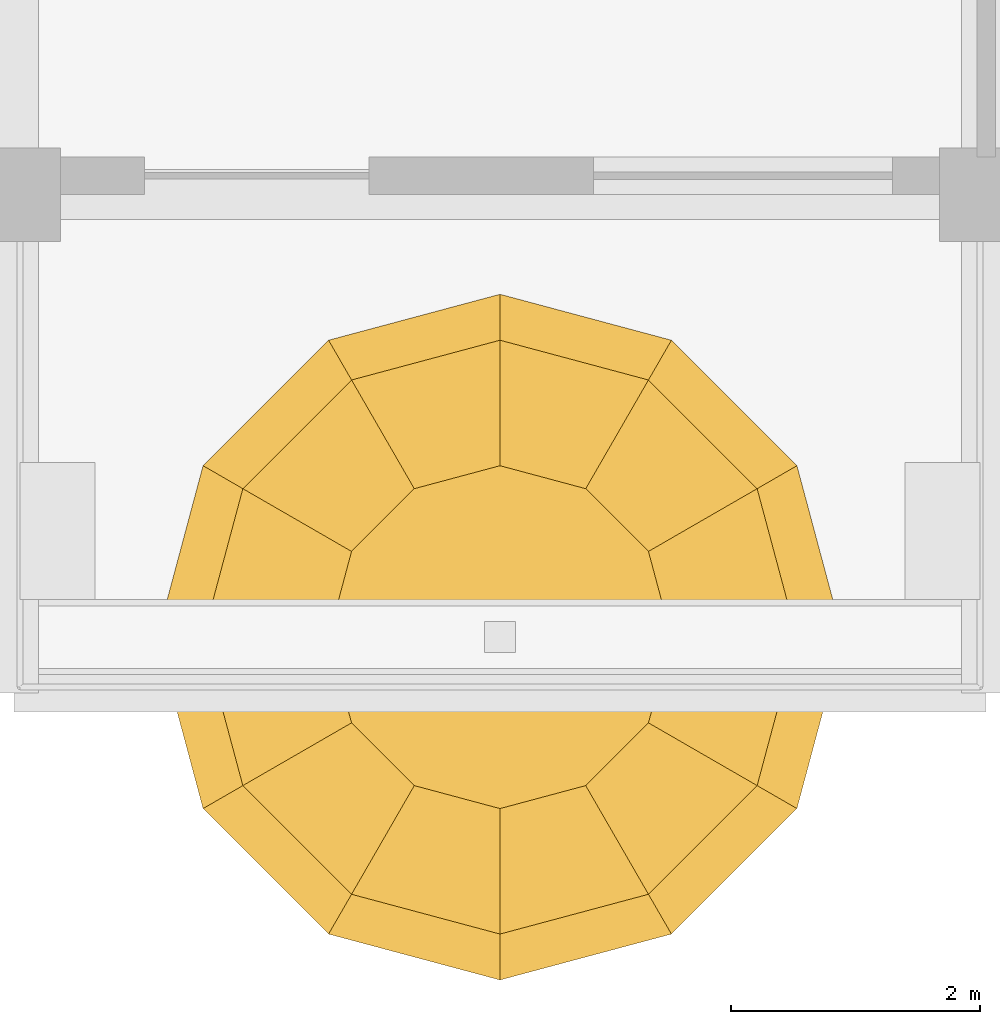
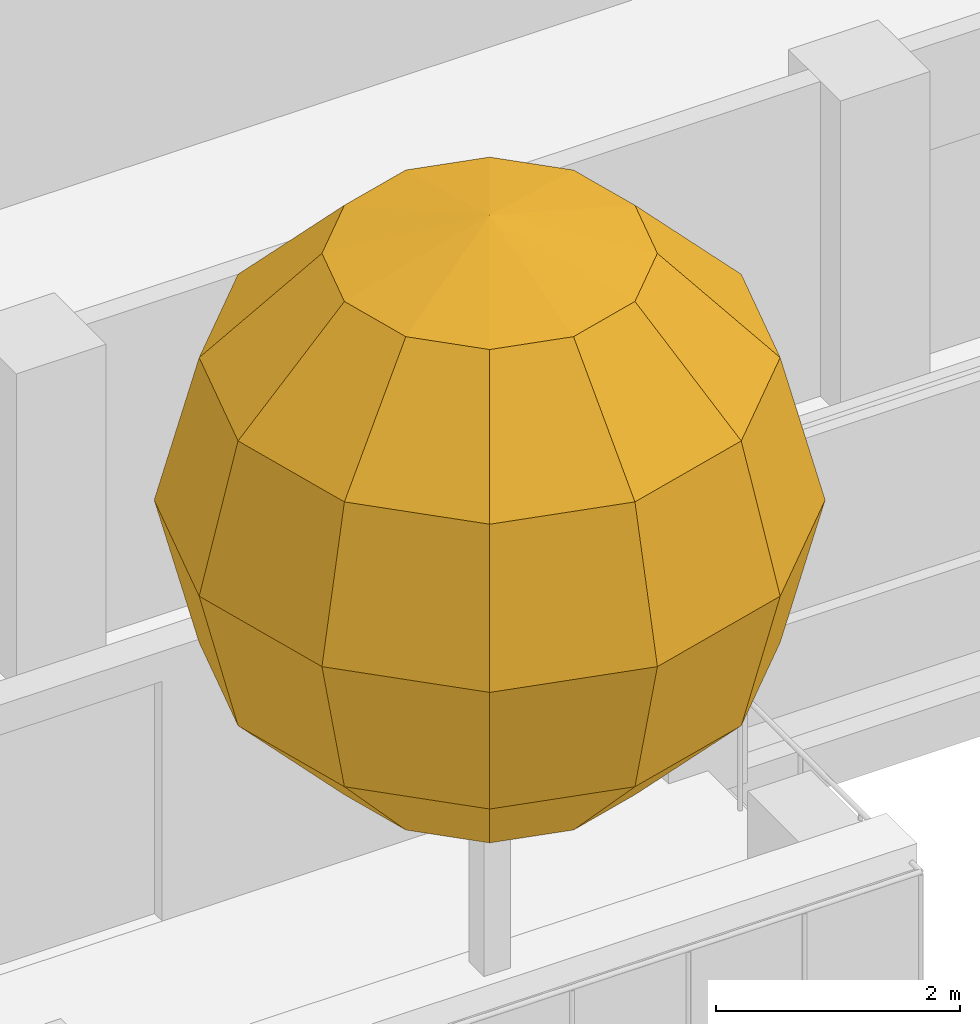
# One storey, part 14 of 14: 1 covering.
"""IFC4 building model written with IfcOpenShell, lengths in metres."""

from ifc_helpers import new_model, si_unit, direction, frame, origin, place, context, subcontext, project, spatial, triangles, material, layer, layer_set, type_object, element, save


model = new_model("IFC4")

# Units and contexts
model_context = context("Model", 3, precision=1e-05, world=origin(), true_north=direction((0.0, 1.0)))
body_context = subcontext(model_context, "Body", "Model", "MODEL_VIEW")
ifc_project = project(units=[si_unit("LENGTHUNIT", "METRE"), si_unit("AREAUNIT", "SQUARE_METRE"), si_unit("VOLUMEUNIT", "CUBIC_METRE"), si_unit("PLANEANGLEUNIT", "RADIAN"), si_unit("MASSUNIT", "GRAM", prefix="KILO")], contexts=[model_context])

# Site, building, storey
site_placement = place(None, origin())
site = spatial("IfcSite", under=ifc_project, at=site_placement, CompositionType="ELEMENT")
building_placement = place(site_placement, origin())
building = spatial("IfcBuilding", under=site, at=building_placement, Name="Ludao Terraces", CompositionType="ELEMENT")
storey_placement = place(building_placement, frame((0.0, 0.0, 182.60009765625)))
storey = spatial("IfcBuildingStorey", under=building, at=storey_placement, Name="L49", CompositionType="ELEMENT", Elevation=182.60009765625)

# Covering
ifc_material = material(Name="Planting")
ifc_layer = layer(ifc_material, 5.5)
ifc_layer_set = layer_set([ifc_layer], Name="ENV Tree crown 5500x5700")
covering_type = type_object("IfcCoveringType", Name="ENV Tree crown 5500x5700", PredefinedType="USERDEFINED", material=ifc_layer_set)
covering_placement = place(storey_placement, frame((85.0, 41.949951171875, 6.0)))
element("IfcCovering", 1, at=covering_placement, inside=storey, type_object=covering_type, Name="Tree crown L49 S1", ObjectType="PLANTING", PredefinedType="USERDEFINED", context=body_context, shape_type="Tessellation", body=[
    triangles([(0.0, 0.0, 2.85009765625), (1.375, 0.0, 2.46826171875), (1.190673828125, 0.6875, 2.46826171875), (0.6875, 1.190673828125, 2.46826171875), (0.0, 1.375, 2.46826171875), (-0.6875, 1.190673828125, 2.46826171875), (-1.190673828125, 0.6875, 2.46826171875), (-1.375, 0.0, 2.46826171875), (-1.190673828125, -0.6875, 2.46826171875), (-0.6875, -1.190673828125, 2.46826171875), (0.0, -1.375, 2.46826171875), (0.6875, -1.190673828125, 2.46826171875), (1.190673828125, -0.6875, 2.46826171875), (2.381591796875, 0.0, 1.425048828125), (2.0625, 1.190673828125, 1.425048828125), (1.190673828125, 2.0625, 1.425048828125), (0.0, 2.381591796875, 1.425048828125), (-1.190673828125, 2.0625, 1.425048828125), (-2.0625, 1.190673828125, 1.425048828125), (-2.381591796875, 0.0, 1.425048828125), (-2.0625, -1.190673828125, 1.425048828125), (-1.190673828125, -2.0625, 1.425048828125), (0.0, -2.381591796875, 1.425048828125), (1.190673828125, -2.0625, 1.425048828125), (2.0625, -1.190673828125, 1.425048828125), (2.75, 0.0, 0.0), (2.381591796875, 1.375, 0.0), (1.375, 2.381591796875, 0.0), (0.0, 2.75, 0.0), (-1.375, 2.381591796875, 0.0), (-2.381591796875, 1.375, 0.0), (-2.75, 0.0, 0.0), (-2.381591796875, -1.375, 0.0), (-1.375, -2.381591796875, 0.0), (0.0, -2.75, 0.0), (1.375, -2.381591796875, 0.0), (2.381591796875, -1.375, 0.0), (2.381591796875, 0.0, -1.425048828125), (2.0625, 1.190673828125, -1.425048828125), (1.190673828125, 2.0625, -1.425048828125), (0.0, 2.381591796875, -1.425048828125), (-1.190673828125, 2.0625, -1.425048828125), (-2.0625, 1.190673828125, -1.425048828125), (-2.381591796875, 0.0, -1.425048828125), (-2.0625, -1.190673828125, -1.425048828125), (-1.190673828125, -2.0625, -1.425048828125), (0.0, -2.381591796875, -1.425048828125), (1.190673828125, -2.0625, -1.425048828125), (2.0625, -1.190673828125, -1.425048828125), (1.375, 0.0, -2.46826171875), (1.190673828125, 0.6875, -2.46826171875), (0.6875, 1.190673828125, -2.46826171875), (0.0, 1.375, -2.46826171875), (-0.6875, 1.190673828125, -2.46826171875), (-1.190673828125, 0.6875, -2.46826171875), (-1.375, 0.0, -2.46826171875), (-1.190673828125, -0.6875, -2.46826171875), (-0.6875, -1.190673828125, -2.46826171875), (0.0, -1.375, -2.46826171875), (0.6875, -1.190673828125, -2.46826171875), (1.190673828125, -0.6875, -2.46826171875), (0.0, 0.0, -2.85009765625)], [[1, 2, 3], [1, 3, 4], [1, 4, 5], [1, 5, 6], [1, 6, 7], [1, 7, 8], [1, 8, 9], [1, 9, 10], [1, 10, 11], [1, 11, 12], [1, 12, 13], [1, 13, 2], [2, 14, 15], [2, 15, 3], [3, 15, 16], [3, 16, 4], [4, 16, 17], [4, 17, 5], [5, 17, 18], [5, 18, 6], [6, 18, 19], [6, 19, 7], [7, 19, 20], [7, 20, 8], [8, 20, 21], [8, 21, 9], [9, 21, 22], [9, 22, 10], [10, 22, 23], [10, 23, 11], [11, 23, 24], [11, 24, 12], [12, 24, 25], [12, 25, 13], [13, 25, 14], [13, 14, 2], [14, 26, 27], [14, 27, 15], [15, 27, 28], [15, 28, 16], [16, 28, 29], [16, 29, 17], [17, 29, 30], [17, 30, 18], [18, 30, 31], [18, 31, 19], [19, 31, 32], [19, 32, 20], [20, 32, 33], [20, 33, 21], [21, 33, 34], [21, 34, 22], [22, 34, 35], [22, 35, 23], [23, 35, 36], [23, 36, 24], [24, 36, 37], [24, 37, 25], [25, 37, 26], [25, 26, 14], [26, 38, 39], [26, 39, 27], [27, 39, 40], [27, 40, 28], [28, 40, 41], [28, 41, 29], [29, 41, 42], [29, 42, 30], [30, 42, 43], [30, 43, 31], [31, 43, 44], [31, 44, 32], [32, 44, 45], [32, 45, 33], [33, 45, 46], [33, 46, 34], [34, 46, 47], [34, 47, 35], [35, 47, 48], [35, 48, 36], [36, 48, 49], [36, 49, 37], [37, 49, 38], [37, 38, 26], [38, 50, 51], [38, 51, 39], [39, 51, 52], [39, 52, 40], [40, 52, 53], [40, 53, 41], [41, 53, 54], [41, 54, 42], [42, 54, 55], [42, 55, 43], [43, 55, 56], [43, 56, 44], [44, 56, 57], [44, 57, 45], [45, 57, 58], [45, 58, 46], [46, 58, 59], [46, 59, 47], [47, 59, 60], [47, 60, 48], [48, 60, 61], [48, 61, 49], [49, 61, 50], [49, 50, 38], [62, 51, 50], [62, 52, 51], [62, 53, 52], [62, 54, 53], [62, 55, 54], [62, 56, 55], [62, 57, 56], [62, 58, 57], [62, 59, 58], [62, 60, 59], [62, 61, 60], [62, 50, 61]], closed=True),
])

save(model, "model.ifc")
